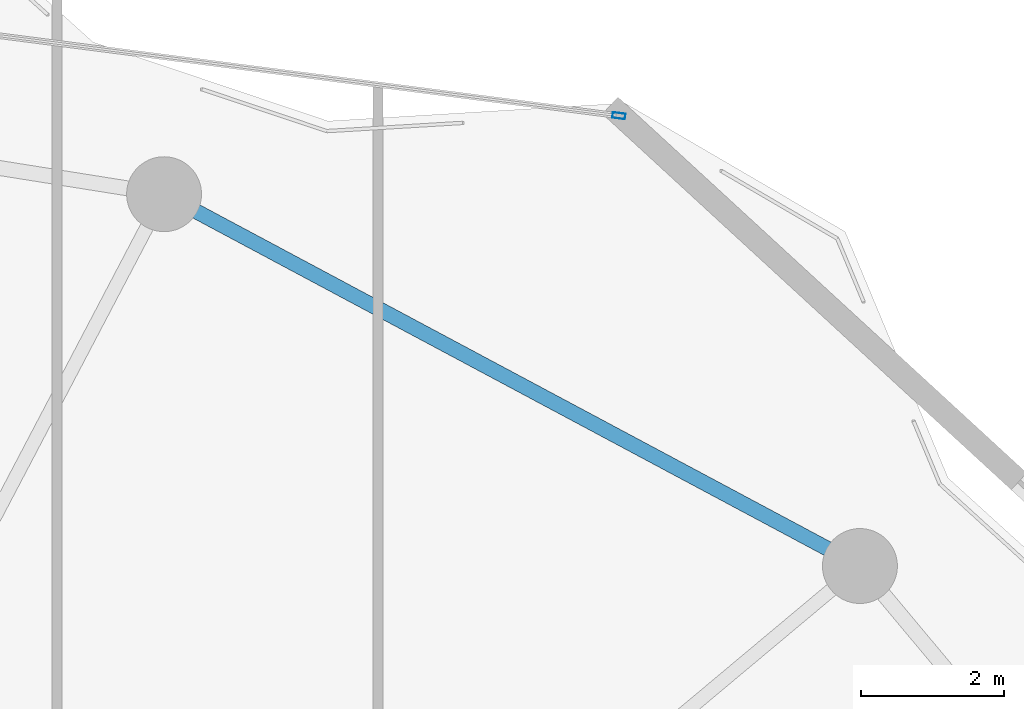
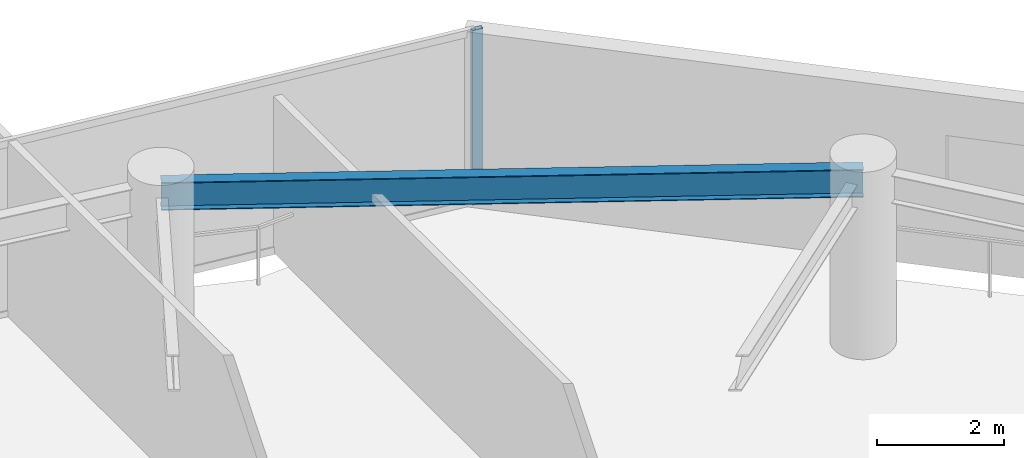
# One storey, part 23 of 31: 1 beam, 1 member, 1 element without a shape of its own.
"""IFC4 building model written with IfcOpenShell, lengths in metres."""

from ifc_helpers import new_model, si_unit, direction, frame, origin, origin_2d, place, context, subcontext, project, spatial, hollow_rectangle, i_section, extrude, material, layer, layer_set, material_profile, profile_set, type_object, element, aggregate, save


model = new_model("IFC4")

# Units and contexts
model_context = context("Model", 3, precision=1e-05, world=origin(), true_north=direction((0.0, 1.0)))
body_context = subcontext(model_context, "Body", "Model", "MODEL_VIEW")
ifc_project = project(units=[si_unit("LENGTHUNIT", "METRE"), si_unit("AREAUNIT", "SQUARE_METRE"), si_unit("VOLUMEUNIT", "CUBIC_METRE"), si_unit("PLANEANGLEUNIT", "RADIAN"), si_unit("MASSUNIT", "GRAM", prefix="KILO")], contexts=[model_context])

# Site, building, storey
site_placement = place(None, origin())
site = spatial("IfcSite", under=ifc_project, at=site_placement, CompositionType="ELEMENT")
building_placement = place(site_placement, origin())
building = spatial("IfcBuilding", under=site, at=building_placement, Name="Kazevale Care Tower and Concert Hall", CompositionType="ELEMENT")
storey_placement = place(building_placement, frame((0.0, 0.0, 210.0)))
storey = spatial("IfcBuildingStorey", under=building, at=storey_placement, Name="L55", CompositionType="ELEMENT", Elevation=210.0)

# Curtain wall, member
ifc_material_1 = material(Name="Aluminium 6063-T6 and Low-E Glass", Category="aluminium")
ifc_layer = layer(ifc_material_1, 0.179931640625)
ifc_layer_set = layer_set([ifc_layer], Name="Aluminium 6063-T6 and Low-E Glass")
curtain_wall_type = type_object("IfcCurtainWallType", Name="Waist & Upper Residential Curtain Wall CW-4", PredefinedType="NOTDEFINED", material=ifc_layer_set)
curtain_wall_placement = place(storey_placement, origin())
curtain_wall = element("IfcCurtainWall", 1, at=curtain_wall_placement, inside=storey, type_object=curtain_wall_type, Name="cw:L55:f16", PredefinedType="NOTDEFINED")
ifc_material_2 = material(Name="Aluminium 6063-T6", Category="aluminium")
ifc_material_profile_1 = material_profile(ifc_material_2, hollow_rectangle(XDim=0.080078125, YDim=0.179931640625, WallThickness=0.0048828125, at=origin_2d()), Name="ALU80x180x5")
ifc_profile_set_1 = profile_set([ifc_material_profile_1], Name="Aluminium 6063-T6")
member_type = type_object("IfcMemberType", Name="CW-4 Mullion ALU80x180x5", PredefinedType="MULLION", material=ifc_profile_set_1)
member_placement = place(storey_placement, frame((62.873291015625, 61.319091796875, 0.0), z_axis=(0.0, 0.0, 1.0), x_axis=(0.128098132904, 0.991761497713, 0.0)))
member = element("IfcMember", 2, at=member_placement, type_object=member_type, Name="CW-4 mullion 2", PredefinedType="MULLION", context=body_context, shape_type="SweptSolid", body=[
    extrude(hollow_rectangle(XDim=0.080078125, YDim=0.179931640625, WallThickness=0.0048828125, at=origin_2d()), origin(), (0.0, 0.0, 1.0), 3.360107421875),
])
aggregate(curtain_wall, [member])

# Beam
ifc_material_3 = material(Name="Steel ASTM A572 Gr 50", Category="steel")
ifc_material_profile_2 = material_profile(ifc_material_3, i_section(OverallWidth=0.208984375, OverallDepth=0.532958984375, WebThickness=0.01025390625, FlangeThickness=0.015625, at=origin_2d()), Name="W530x92")
ifc_profile_set_2 = profile_set([ifc_material_profile_2], Name="Steel ASTM A572 Gr 50")
beam_type = type_object("IfcBeamType", Name="Upper Ring Beam W530x92", PredefinedType="BEAM", material=ifc_profile_set_2)
beam_placement = place(storey_placement, frame((66.25, 55.010009765625, 3.093505859375), z_axis=(-0.881978519833, 0.471289603697, 0.0), x_axis=(-0.471289603697, -0.881978519833, 0.0)))
element("IfcBeam", 3, at=beam_placement, inside=storey, type_object=beam_type, Name="beam:L55:ring:03", PredefinedType="BEAM", context=body_context, shape_type="SweptSolid", body=[
    extrude(i_section(OverallWidth=0.208984375, OverallDepth=0.532958984375, WebThickness=0.01025390625, FlangeThickness=0.015625, at=origin_2d()), origin(), (0.0, 0.0, 1.0), 11.0546875),
])

save(model, "model.ifc")
